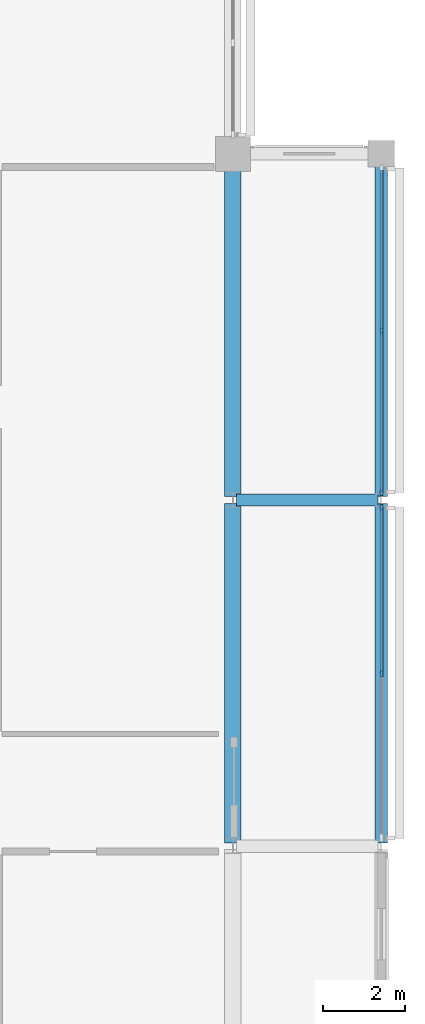
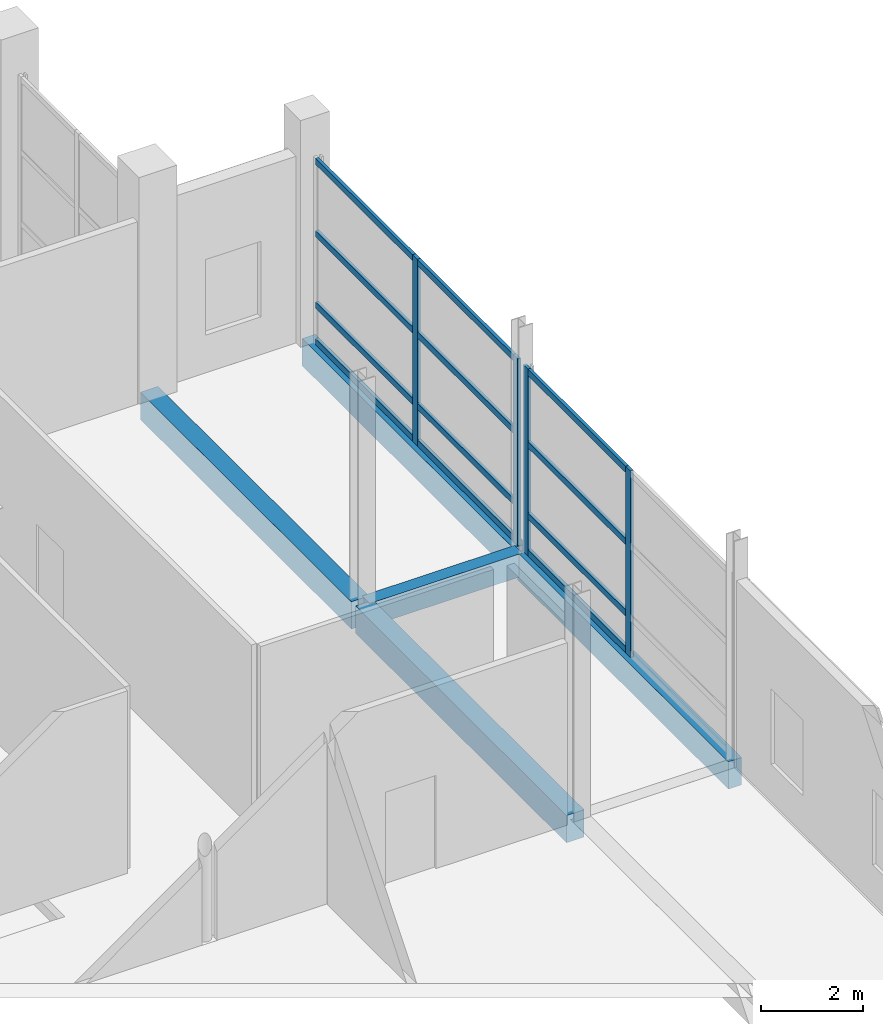
# One storey, part 42 of 140: 16 members, 5 beams, 2 elements without a shape of their own.
"""IFC4 building model written with IfcOpenShell, lengths in metres."""

from ifc_helpers import new_model, si_unit, direction, frame, origin, origin_2d, place, context, subcontext, project, spatial, rectangle, extrude, material, layer, layer_set, material_profile, profile_set, type_object, element, aggregate, save


model = new_model("IFC4")

# Units and contexts
model_context = context("Model", 3, precision=1e-05, world=origin(), true_north=direction((0.0, 1.0)))
body_context = subcontext(model_context, "Body", "Model", "MODEL_VIEW")
ifc_project = project(units=[si_unit("LENGTHUNIT", "METRE"), si_unit("AREAUNIT", "SQUARE_METRE"), si_unit("VOLUMEUNIT", "CUBIC_METRE"), si_unit("PLANEANGLEUNIT", "RADIAN"), si_unit("MASSUNIT", "GRAM", prefix="KILO")], contexts=[model_context])

# Site, building, storey
site_placement = place(None, origin())
site = spatial("IfcSite", under=ifc_project, at=site_placement, CompositionType="ELEMENT")
building_placement = place(site_placement, origin())
building = spatial("IfcBuilding", under=site, at=building_placement, Name="Telukmera Botanical Conservatory", CompositionType="ELEMENT")
storey_placement = place(building_placement, origin())
storey = spatial("IfcBuildingStorey", under=building, at=storey_placement, Name="L00", CompositionType="ELEMENT", Elevation=0.0)

# Beams
ifc_material_1 = material(Name="Concrete C40/50", Category="concrete")
ifc_material_profile_1 = material_profile(ifc_material_1, rectangle(XDim=0.300048828125, YDim=0.550048828125, at=origin_2d()), Name="RC 300x550")
ifc_profile_set_1 = profile_set([ifc_material_profile_1], Name="Concrete C40/50")
beam_type_1 = type_object("IfcBeamType", Name="Beam_B10", PredefinedType="BEAM", material=ifc_profile_set_1)
beam_placement = place(storey_placement, frame((168.080078125, 34.39990234375, -0.27490234375), z_axis=(1.0, 0.0, 0.0), x_axis=(0.0, 1.0, 0.0)))
element("IfcBeam", 1, at=beam_placement, inside=storey, type_object=beam_type_1, Name="Conservatory Beam beam:V1:L00:east_x:344", PredefinedType="BEAM", context=body_context, shape_type="SweptSolid", body=[
    extrude(rectangle(XDim=0.300048828125, YDim=0.550048828125, at=origin_2d()), origin(), (0.0, 0.0, 1.0), 3.43994140625),
])
ifc_material_profile_2 = material_profile(ifc_material_1, rectangle(XDim=0.39990234375, YDim=0.64990234375, at=origin_2d()), Name="RC 400x650")
ifc_profile_set_2 = profile_set([ifc_material_profile_2], Name="Concrete C40/50")
beam_type_2 = type_object("IfcBeamType", Name="Beam_B8", PredefinedType="BEAM", material=ifc_profile_set_2)
for number, where, z_axis, x_axis, name in (
    (2, (168.0, 26.080078125, -0.324951171875), (0.0, 1.0, 0.0), (-1.0, 0.0, 0.0), "Conservatory Beam beam:V1:L00:gy:1680:260"),
    (3, (168.0, 34.47998046875, -0.324951171875), (0.0, 1.0, 0.0), (-1.0, 0.0, 0.0), "Conservatory Beam beam:V1:L00:gy:1680:344"),
):
    element("IfcBeam", number, at=place(storey_placement, frame(where, z_axis=z_axis, x_axis=x_axis)), inside=storey, type_object=beam_type_2, Name=name, PredefinedType="BEAM", context=body_context, shape_type="SweptSolid", body=[
        extrude(rectangle(XDim=0.39990234375, YDim=0.64990234375, at=origin_2d()), origin(), (0.0, 0.0, 1.0), 8.239990234375),
    ])
ifc_material_2 = material(Name="Precast concrete C40/50", Category="concrete")
ifc_material_profile_3 = material_profile(ifc_material_2, rectangle(XDim=0.300048828125, YDim=0.64990234375, at=origin_2d()), Name="PC 300x650")
ifc_profile_set_3 = profile_set([ifc_material_profile_3], Name="Precast concrete C40/50")
beam_type_3 = type_object("IfcBeamType", Name="Beam_SP4", PredefinedType="SPANDREL", material=ifc_profile_set_3)
for number, where, z_axis, x_axis, name in (
    (4, (171.60009765625, 26.080078125, -0.324951171875), (0.0, 1.0, 0.0), (-1.0, 0.0, 0.0), "Conservatory Beam beam:V1:L00:east_y:260"),
    (5, (171.60009765625, 34.47998046875, -0.324951171875), (0.0, 1.0, 0.0), (-1.0, 0.0, 0.0), "Conservatory Beam beam:V1:L00:east_y:344"),
):
    element("IfcBeam", number, at=place(storey_placement, frame(where, z_axis=z_axis, x_axis=x_axis)), inside=storey, type_object=beam_type_3, Name=name, PredefinedType="SPANDREL", context=body_context, shape_type="SweptSolid", body=[
        extrude(rectangle(XDim=0.300048828125, YDim=0.64990234375, at=origin_2d()), origin(), (0.0, 0.0, 1.0), 8.239990234375),
    ])

# Curtain wall, members
ifc_material_3 = material(Name="Anodised aluminium 6063-T6", Category="aluminium")
ifc_layer = layer(ifc_material_3, 0.179931640625)
ifc_layer_set = layer_set([ifc_layer], Name="Anodised aluminium 6063-T6")
curtain_wall_type = type_object("IfcCurtainWallType", Name="Conservatory Boulevard Unitised Curtain Wall 3600 Mod", PredefinedType="USERDEFINED", material=ifc_layer_set)
curtain_wall_1_placement = place(storey_placement, origin())
curtain_wall_1 = element("IfcCurtainWall", 6, at=curtain_wall_1_placement, inside=storey, type_object=curtain_wall_type, Name="Unitised Curtain Wall CW01 V1:L00:E2", ObjectType="UNITISED CURTAIN WALL", PredefinedType="USERDEFINED")
ifc_material_profile_4 = material_profile(ifc_material_3, rectangle(XDim=0.070068359375, YDim=0.179931640625, at=origin_2d()), Name="ALU MULL 70x180")
ifc_profile_set_4 = profile_set([ifc_material_profile_4], Name="Anodised aluminium 6063-T6")
member_type_1 = type_object("IfcMemberType", Name="Curtain Wall Extruded Mullion 70x180", PredefinedType="MULLION", material=ifc_profile_set_4)
member_1_placement = place(storey_placement, frame((171.60009765625, 30.199951171875, 0.0), z_axis=(0.0, 0.0, 1.0), x_axis=(-1.0, 0.0, 0.0)))
member_1 = element("IfcMember", 7, at=member_1_placement, type_object=member_type_1, Name="CW01 mullion 2", PredefinedType="MULLION", context=body_context, shape_type="SweptSolid", body=[
    extrude(rectangle(XDim=0.070068359375, YDim=0.179931640625, at=origin_2d()), origin(), (0.0, 0.0, 1.0), 4.449951171875),
])
member_2_placement = place(storey_placement, frame((171.60009765625, 34.20263671875, 0.0), z_axis=(0.0, 0.0, 1.0), x_axis=(-1.0, 0.0, 0.0)))
member_2 = element("IfcMember", 8, at=member_2_placement, type_object=member_type_1, Name="CW01 mullion 3", PredefinedType="MULLION", context=body_context, shape_type="SweptSolid", body=[
    extrude(rectangle(XDim=0.070068359375, YDim=0.179931640625, at=origin_2d()), origin(), (0.0, 0.0, 1.0), 4.449951171875),
])

curtain_wall_2_placement = place(storey_placement, origin())
curtain_wall_2 = element("IfcCurtainWall", 9, at=curtain_wall_2_placement, inside=storey, type_object=curtain_wall_type, Name="Unitised Curtain Wall CW01 V1:L00:E3", ObjectType="UNITISED CURTAIN WALL", PredefinedType="USERDEFINED")
member_3_placement = place(storey_placement, frame((171.60009765625, 34.59716796875, 0.0), z_axis=(0.0, 0.0, 1.0), x_axis=(-1.0, 0.0, 0.0)))
member_3 = element("IfcMember", 10, at=member_3_placement, type_object=member_type_1, Name="CW01 mullion 1", PredefinedType="MULLION", context=body_context, shape_type="SweptSolid", body=[
    extrude(rectangle(XDim=0.070068359375, YDim=0.179931640625, at=origin_2d()), origin(), (0.0, 0.0, 1.0), 4.449951171875),
])
member_4_placement = place(storey_placement, frame((171.60009765625, 38.517578125, 0.0), z_axis=(0.0, 0.0, 1.0), x_axis=(-1.0, 0.0, 0.0)))
member_4 = element("IfcMember", 11, at=member_4_placement, type_object=member_type_1, Name="CW01 mullion 2", PredefinedType="MULLION", context=body_context, shape_type="SweptSolid", body=[
    extrude(rectangle(XDim=0.070068359375, YDim=0.179931640625, at=origin_2d()), origin(), (0.0, 0.0, 1.0), 4.449951171875),
])

# Member
ifc_material_profile_5 = material_profile(ifc_material_3, rectangle(XDim=0.070068359375, YDim=0.14990234375, at=origin_2d()), Name="ALU TRAN 70x150")
ifc_profile_set_5 = profile_set([ifc_material_profile_5], Name="Anodised aluminium 6063-T6")
member_type_2 = type_object("IfcMemberType", Name="Curtain Wall Extruded Transom 70x150", PredefinedType="USERDEFINED", material=ifc_profile_set_5)
member_5_placement = place(storey_placement, frame((171.60009765625, 30.235107421875, 0.074951171875), z_axis=(0.0, 1.0, 0.0), x_axis=(-1.0, 0.0, 0.0)))
member_5 = element("IfcMember", 12, at=member_5_placement, type_object=member_type_2, Name="CW01 transom 2.1", ObjectType="TRANSOM", PredefinedType="USERDEFINED", context=body_context, shape_type="SweptSolid", body=[
    extrude(rectangle(XDim=0.070068359375, YDim=0.14990234375, at=origin_2d()), origin(), (0.0, 0.0, 1.0), 3.9326171875),
])

member_6_placement = place(storey_placement, frame((171.60009765625, 30.235107421875, 0.949951171875), z_axis=(0.0, 1.0, 0.0), x_axis=(-1.0, 0.0, 0.0)))
member_6 = element("IfcMember", 13, at=member_6_placement, type_object=member_type_2, Name="CW01 transom 2.2", ObjectType="TRANSOM", PredefinedType="USERDEFINED", context=body_context, shape_type="SweptSolid", body=[
    extrude(rectangle(XDim=0.070068359375, YDim=0.14990234375, at=origin_2d()), origin(), (0.0, 0.0, 1.0), 3.9326171875),
])

member_7_placement = place(storey_placement, frame((171.60009765625, 30.235107421875, 2.64990234375), z_axis=(0.0, 1.0, 0.0), x_axis=(-1.0, 0.0, 0.0)))
member_7 = element("IfcMember", 14, at=member_7_placement, type_object=member_type_2, Name="CW01 transom 2.3", ObjectType="TRANSOM", PredefinedType="USERDEFINED", context=body_context, shape_type="SweptSolid", body=[
    extrude(rectangle(XDim=0.070068359375, YDim=0.14990234375, at=origin_2d()), origin(), (0.0, 0.0, 1.0), 3.9326171875),
])

member_8_placement = place(storey_placement, frame((171.60009765625, 30.235107421875, 4.375), z_axis=(0.0, 1.0, 0.0), x_axis=(-1.0, 0.0, 0.0)))
member_8 = element("IfcMember", 15, at=member_8_placement, type_object=member_type_2, Name="CW01 transom 2.4", ObjectType="TRANSOM", PredefinedType="USERDEFINED", context=body_context, shape_type="SweptSolid", body=[
    extrude(rectangle(XDim=0.070068359375, YDim=0.14990234375, at=origin_2d()), origin(), (0.0, 0.0, 1.0), 3.9326171875),
])

aggregate(curtain_wall_1, [member_1, member_2, member_5, member_6, member_7, member_8])

member_9_placement = place(storey_placement, frame((171.60009765625, 34.632080078125, 0.074951171875), z_axis=(0.0, 1.0, 0.0), x_axis=(-1.0, 0.0, 0.0)))
member_9 = element("IfcMember", 16, at=member_9_placement, type_object=member_type_2, Name="CW01 transom 1.1", ObjectType="TRANSOM", PredefinedType="USERDEFINED", context=body_context, shape_type="SweptSolid", body=[
    extrude(rectangle(XDim=0.070068359375, YDim=0.14990234375, at=origin_2d()), origin(), (0.0, 0.0, 1.0), 3.8505859375),
])

member_10_placement = place(storey_placement, frame((171.60009765625, 34.632080078125, 0.949951171875), z_axis=(0.0, 1.0, 0.0), x_axis=(-1.0, 0.0, 0.0)))
member_10 = element("IfcMember", 17, at=member_10_placement, type_object=member_type_2, Name="CW01 transom 1.2", ObjectType="TRANSOM", PredefinedType="USERDEFINED", context=body_context, shape_type="SweptSolid", body=[
    extrude(rectangle(XDim=0.070068359375, YDim=0.14990234375, at=origin_2d()), origin(), (0.0, 0.0, 1.0), 3.8505859375),
])

member_11_placement = place(storey_placement, frame((171.60009765625, 34.632080078125, 2.64990234375), z_axis=(0.0, 1.0, 0.0), x_axis=(-1.0, 0.0, 0.0)))
member_11 = element("IfcMember", 18, at=member_11_placement, type_object=member_type_2, Name="CW01 transom 1.3", ObjectType="TRANSOM", PredefinedType="USERDEFINED", context=body_context, shape_type="SweptSolid", body=[
    extrude(rectangle(XDim=0.070068359375, YDim=0.14990234375, at=origin_2d()), origin(), (0.0, 0.0, 1.0), 3.8505859375),
])

member_12_placement = place(storey_placement, frame((171.60009765625, 34.632080078125, 4.375), z_axis=(0.0, 1.0, 0.0), x_axis=(-1.0, 0.0, 0.0)))
member_12 = element("IfcMember", 19, at=member_12_placement, type_object=member_type_2, Name="CW01 transom 1.4", ObjectType="TRANSOM", PredefinedType="USERDEFINED", context=body_context, shape_type="SweptSolid", body=[
    extrude(rectangle(XDim=0.070068359375, YDim=0.14990234375, at=origin_2d()), origin(), (0.0, 0.0, 1.0), 3.8505859375),
])

member_13_placement = place(storey_placement, frame((171.60009765625, 38.552490234375, 0.074951171875), z_axis=(0.0, 1.0, 0.0), x_axis=(-1.0, 0.0, 0.0)))
member_13 = element("IfcMember", 20, at=member_13_placement, type_object=member_type_2, Name="CW01 transom 2.1", ObjectType="TRANSOM", PredefinedType="USERDEFINED", context=body_context, shape_type="SweptSolid", body=[
    extrude(rectangle(XDim=0.070068359375, YDim=0.14990234375, at=origin_2d()), origin(), (0.0, 0.0, 1.0), 3.8505859375),
])

member_14_placement = place(storey_placement, frame((171.60009765625, 38.552490234375, 0.949951171875), z_axis=(0.0, 1.0, 0.0), x_axis=(-1.0, 0.0, 0.0)))
member_14 = element("IfcMember", 21, at=member_14_placement, type_object=member_type_2, Name="CW01 transom 2.2", ObjectType="TRANSOM", PredefinedType="USERDEFINED", context=body_context, shape_type="SweptSolid", body=[
    extrude(rectangle(XDim=0.070068359375, YDim=0.14990234375, at=origin_2d()), origin(), (0.0, 0.0, 1.0), 3.8505859375),
])

member_15_placement = place(storey_placement, frame((171.60009765625, 38.552490234375, 2.64990234375), z_axis=(0.0, 1.0, 0.0), x_axis=(-1.0, 0.0, 0.0)))
member_15 = element("IfcMember", 22, at=member_15_placement, type_object=member_type_2, Name="CW01 transom 2.3", ObjectType="TRANSOM", PredefinedType="USERDEFINED", context=body_context, shape_type="SweptSolid", body=[
    extrude(rectangle(XDim=0.070068359375, YDim=0.14990234375, at=origin_2d()), origin(), (0.0, 0.0, 1.0), 3.8505859375),
])

member_16_placement = place(storey_placement, frame((171.60009765625, 38.552490234375, 4.375), z_axis=(0.0, 1.0, 0.0), x_axis=(-1.0, 0.0, 0.0)))
member_16 = element("IfcMember", 23, at=member_16_placement, type_object=member_type_2, Name="CW01 transom 2.4", ObjectType="TRANSOM", PredefinedType="USERDEFINED", context=body_context, shape_type="SweptSolid", body=[
    extrude(rectangle(XDim=0.070068359375, YDim=0.14990234375, at=origin_2d()), origin(), (0.0, 0.0, 1.0), 3.8505859375),
])

aggregate(curtain_wall_2, [member_3, member_4, member_9, member_10, member_11, member_12, member_13, member_14, member_15, member_16])

save(model, "model.ifc")
